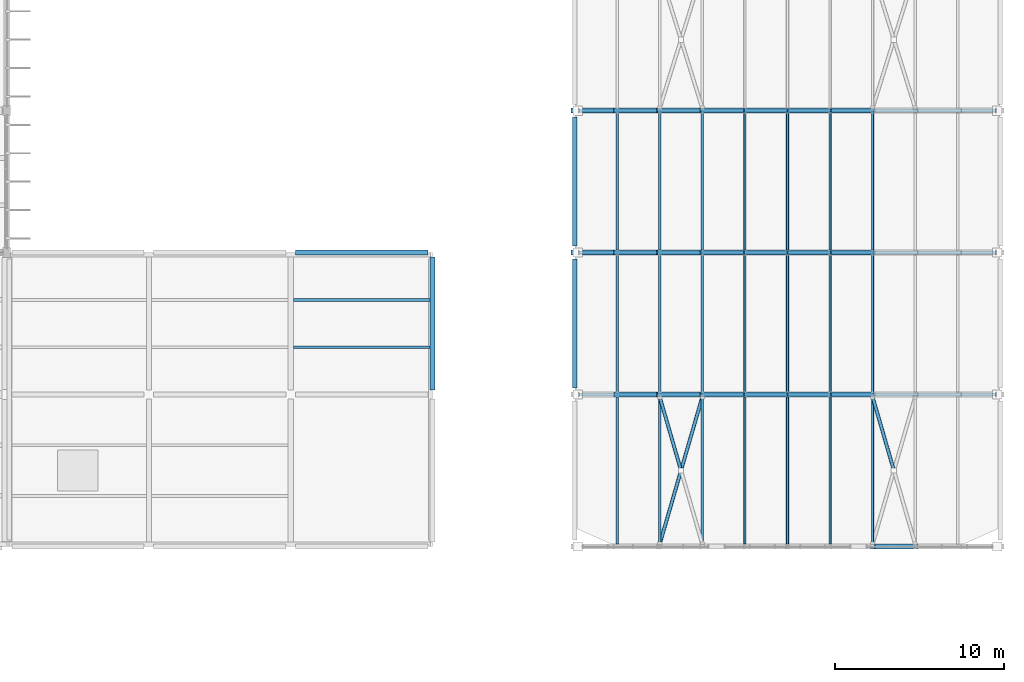
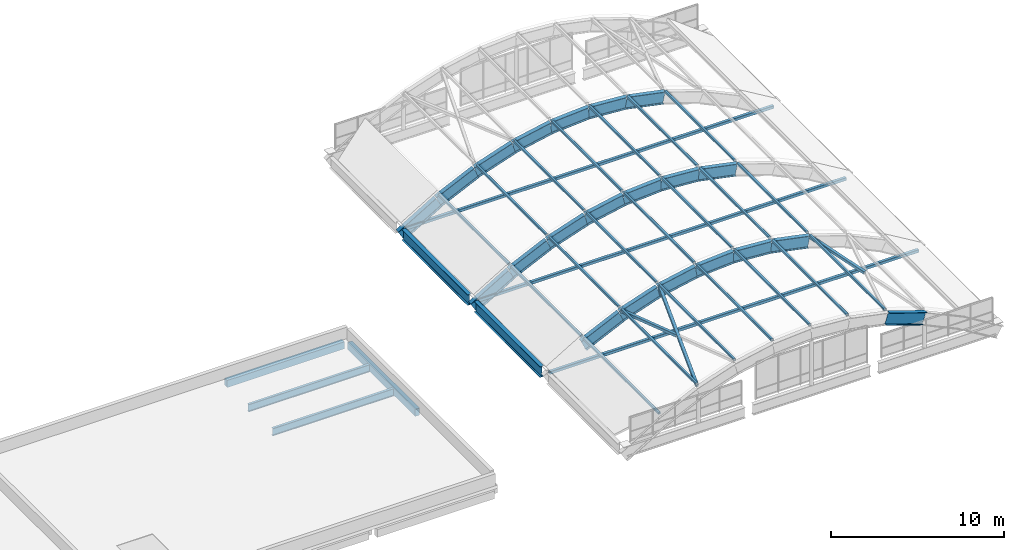
# One storey, part 66 of 107: 27 beams, 27 members.
"""IFC4 building model written with IfcOpenShell, lengths in metres."""

from ifc_helpers import new_model, si_unit, direction, frame, origin, origin_2d, place, context, subcontext, project, spatial, rectangle, hollow_rectangle, i_section, extrude, material, material_profile, profile_set, type_object, element, save


model = new_model("IFC4")

# Units and contexts
model_context = context("Model", 3, precision=1e-05, world=origin(), true_north=direction((0.0, 1.0)))
body_context = subcontext(model_context, "Body", "Model", "MODEL_VIEW")
ifc_project = project(units=[si_unit("LENGTHUNIT", "METRE"), si_unit("AREAUNIT", "SQUARE_METRE"), si_unit("VOLUMEUNIT", "CUBIC_METRE"), si_unit("PLANEANGLEUNIT", "RADIAN"), si_unit("MASSUNIT", "GRAM", prefix="KILO")], contexts=[model_context])

# Site, building, storey
site_placement = place(None, origin())
site = spatial("IfcSite", under=ifc_project, at=site_placement, CompositionType="ELEMENT")
building_placement = place(site_placement, origin())
building = spatial("IfcBuilding", under=site, at=building_placement, Name="Vireocrest Preparatory School", CompositionType="ELEMENT")
storey_placement = place(building_placement, frame((0.0, 0.0, 13.199951171875)))
storey = spatial("IfcBuildingStorey", under=building, at=storey_placement, Name="L03", CompositionType="ELEMENT", Elevation=13.199951171875)

# Beams
ifc_material_1 = material(Name="Structural steel ASTM A992 Grade 50", Category="steel")
ifc_material_profile_1 = material_profile(ifc_material_1, i_section(OverallWidth=0.2919921875, OverallDepth=0.841064453125, WebThickness=0.0146484375, FlangeThickness=0.021728515625, FilletRadius=0.02001953125, at=origin_2d()), Name="W33X130")
ifc_profile_set_1 = profile_set([ifc_material_profile_1], Name="Structural steel ASTM A992 Grade 50")
beam_type_1 = type_object("IfcBeamType", Name="Assembly Hall Barrel Vault Arch Rib W33X130", PredefinedType="BEAM", material=ifc_profile_set_1)
beam_1_placement = place(storey_placement, frame((160.43994140625, 18.0, 2.694580078125), z_axis=(0.947982995349, 0.0, -0.318320970924), x_axis=(0.0, 1.0, 0.0)))
element("IfcBeam", 1, at=beam_1_placement, inside=storey, type_object=beam_type_1, Name="Assembly Hall Barrel Vault Roof Arch Rib 1 Seg 8", PredefinedType="BEAM", context=body_context, shape_type="SweptSolid", body=[
    extrude(i_section(OverallWidth=0.2919921875, OverallDepth=0.841064453125, WebThickness=0.0146484375, FlangeThickness=0.021728515625, FilletRadius=0.02001953125, at=origin_2d()), origin(), (0.0, 0.0, 1.0), 2.658203125),
])
beam_2_placement = place(storey_placement, frame((145.320068359375, 27.0, 0.6474609375), z_axis=(0.905574801812, 0.0, 0.424186607902), x_axis=(0.0, 1.0, 0.0)))
element("IfcBeam", 2, at=beam_2_placement, inside=storey, type_object=beam_type_1, Name="Assembly Hall Barrel Vault Roof Arch Rib 2 Seg 2", PredefinedType="BEAM", context=body_context, shape_type="SweptSolid", body=[
    extrude(i_section(OverallWidth=0.2919921875, OverallDepth=0.841064453125, WebThickness=0.0146484375, FlangeThickness=0.021728515625, FilletRadius=0.02001953125, at=origin_2d()), origin(), (0.0, 0.0, 1.0), 2.78271484375),
])
beam_3_placement = place(storey_placement, frame((147.840087890625, 27.0, 1.848388671875), z_axis=(0.947982995349, 0.0, 0.318320970924), x_axis=(0.0, 1.0, 0.0)))
element("IfcBeam", 3, at=beam_3_placement, inside=storey, type_object=beam_type_1, Name="Assembly Hall Barrel Vault Roof Arch Rib 2 Seg 3", PredefinedType="BEAM", context=body_context, shape_type="SweptSolid", body=[
    extrude(i_section(OverallWidth=0.2919921875, OverallDepth=0.841064453125, WebThickness=0.0146484375, FlangeThickness=0.021728515625, FilletRadius=0.02001953125, at=origin_2d()), origin(), (0.0, 0.0, 1.0), 2.658203125),
])
beam_4_placement = place(storey_placement, frame((150.360107421875, 27.0, 2.708740234375), z_axis=(0.979995711856, 0.0, 0.199018604016), x_axis=(0.0, 1.0, 0.0)))
element("IfcBeam", 4, at=beam_4_placement, inside=storey, type_object=beam_type_1, Name="Assembly Hall Barrel Vault Roof Arch Rib 2 Seg 4", PredefinedType="BEAM", context=body_context, shape_type="SweptSolid", body=[
    extrude(i_section(OverallWidth=0.2919921875, OverallDepth=0.841064453125, WebThickness=0.0146484375, FlangeThickness=0.021728515625, FilletRadius=0.02001953125, at=origin_2d()), origin(), (0.0, 0.0, 1.0), 2.5712890625),
])
for number, where, z_axis, x_axis, name in (
    (5, (152.8798828125, 27.0, 3.227783203125), (0.997535619159, 0.0, 0.07016187362), (0.0, 1.0, 0.0), "Assembly Hall Barrel Vault Roof Arch Rib 2 Seg 5"),
    (6, (155.39990234375, 27.0, 3.405029296875), (0.997535619159, 0.0, -0.07016187362), (0.0, 1.0, 0.0), "Assembly Hall Barrel Vault Roof Arch Rib 2 Seg 6"),
):
    element("IfcBeam", number, at=place(storey_placement, frame(where, z_axis=z_axis, x_axis=x_axis)), inside=storey, type_object=beam_type_1, Name=name, PredefinedType="BEAM", context=body_context, shape_type="SweptSolid", body=[
        extrude(i_section(OverallWidth=0.2919921875, OverallDepth=0.841064453125, WebThickness=0.0146484375, FlangeThickness=0.021728515625, FilletRadius=0.02001953125, at=origin_2d()), origin(), (0.0, 0.0, 1.0), 2.5263671875),
    ])
beam_5_placement = place(storey_placement, frame((157.919921875, 27.0, 3.220458984375), z_axis=(0.979999472213, 0.0, -0.199000086588), x_axis=(0.0, 1.0, 0.0)))
element("IfcBeam", 7, at=beam_5_placement, inside=storey, type_object=beam_type_1, Name="Assembly Hall Barrel Vault Roof Arch Rib 2 Seg 7", PredefinedType="BEAM", context=body_context, shape_type="SweptSolid", body=[
    extrude(i_section(OverallWidth=0.2919921875, OverallDepth=0.841064453125, WebThickness=0.0146484375, FlangeThickness=0.021728515625, FilletRadius=0.02001953125, at=origin_2d()), origin(), (0.0, 0.0, 1.0), 2.571533203125),
])
beam_6_placement = place(storey_placement, frame((142.800048828125, 35.39990234375, -0.883544921875), z_axis=(0.858599207137, 0.0, 0.512647443672), x_axis=(0.0, 1.0, 0.0)))
element("IfcBeam", 8, at=beam_6_placement, inside=storey, type_object=beam_type_1, Name="Assembly Hall Barrel Vault Roof Arch Rib 3 Seg 1", PredefinedType="BEAM", context=body_context, shape_type="SweptSolid", body=[
    extrude(i_section(OverallWidth=0.2919921875, OverallDepth=0.841064453125, WebThickness=0.0146484375, FlangeThickness=0.021728515625, FilletRadius=0.02001953125, at=origin_2d()), origin(), (0.0, 0.0, 1.0), 2.93505859375),
])
beam_7_placement = place(storey_placement, frame((145.320068359375, 35.39990234375, 0.6474609375), z_axis=(0.905574801812, 0.0, 0.424186607902), x_axis=(0.0, 1.0, 0.0)))
element("IfcBeam", 9, at=beam_7_placement, inside=storey, type_object=beam_type_1, Name="Assembly Hall Barrel Vault Roof Arch Rib 3 Seg 2", PredefinedType="BEAM", context=body_context, shape_type="SweptSolid", body=[
    extrude(i_section(OverallWidth=0.2919921875, OverallDepth=0.841064453125, WebThickness=0.0146484375, FlangeThickness=0.021728515625, FilletRadius=0.02001953125, at=origin_2d()), origin(), (0.0, 0.0, 1.0), 2.78271484375),
])
beam_8_placement = place(storey_placement, frame((147.840087890625, 35.39990234375, 1.848388671875), z_axis=(0.947982995349, 0.0, 0.318320970924), x_axis=(0.0, 1.0, 0.0)))
element("IfcBeam", 10, at=beam_8_placement, inside=storey, type_object=beam_type_1, Name="Assembly Hall Barrel Vault Roof Arch Rib 3 Seg 3", PredefinedType="BEAM", context=body_context, shape_type="SweptSolid", body=[
    extrude(i_section(OverallWidth=0.2919921875, OverallDepth=0.841064453125, WebThickness=0.0146484375, FlangeThickness=0.021728515625, FilletRadius=0.02001953125, at=origin_2d()), origin(), (0.0, 0.0, 1.0), 2.658203125),
])
beam_9_placement = place(storey_placement, frame((150.360107421875, 35.39990234375, 2.708740234375), z_axis=(0.979995711856, 0.0, 0.199018604016), x_axis=(0.0, 1.0, 0.0)))
element("IfcBeam", 11, at=beam_9_placement, inside=storey, type_object=beam_type_1, Name="Assembly Hall Barrel Vault Roof Arch Rib 3 Seg 4", PredefinedType="BEAM", context=body_context, shape_type="SweptSolid", body=[
    extrude(i_section(OverallWidth=0.2919921875, OverallDepth=0.841064453125, WebThickness=0.0146484375, FlangeThickness=0.021728515625, FilletRadius=0.02001953125, at=origin_2d()), origin(), (0.0, 0.0, 1.0), 2.5712890625),
])
for number, where, z_axis, x_axis, name in (
    (12, (152.8798828125, 35.39990234375, 3.227783203125), (0.997535619159, 0.0, 0.07016187362), (0.0, 1.0, 0.0), "Assembly Hall Barrel Vault Roof Arch Rib 3 Seg 5"),
    (13, (155.39990234375, 35.39990234375, 3.405029296875), (0.997535619159, 0.0, -0.07016187362), (0.0, 1.0, 0.0), "Assembly Hall Barrel Vault Roof Arch Rib 3 Seg 6"),
):
    element("IfcBeam", number, at=place(storey_placement, frame(where, z_axis=z_axis, x_axis=x_axis)), inside=storey, type_object=beam_type_1, Name=name, PredefinedType="BEAM", context=body_context, shape_type="SweptSolid", body=[
        extrude(i_section(OverallWidth=0.2919921875, OverallDepth=0.841064453125, WebThickness=0.0146484375, FlangeThickness=0.021728515625, FilletRadius=0.02001953125, at=origin_2d()), origin(), (0.0, 0.0, 1.0), 2.5263671875),
    ])
beam_10_placement = place(storey_placement, frame((157.919921875, 35.39990234375, 3.220458984375), z_axis=(0.979999472213, 0.0, -0.199000086588), x_axis=(0.0, 1.0, 0.0)))
element("IfcBeam", 14, at=beam_10_placement, inside=storey, type_object=beam_type_1, Name="Assembly Hall Barrel Vault Roof Arch Rib 3 Seg 7", PredefinedType="BEAM", context=body_context, shape_type="SweptSolid", body=[
    extrude(i_section(OverallWidth=0.2919921875, OverallDepth=0.841064453125, WebThickness=0.0146484375, FlangeThickness=0.021728515625, FilletRadius=0.02001953125, at=origin_2d()), origin(), (0.0, 0.0, 1.0), 2.571533203125),
])
beam_11_placement = place(storey_placement, frame((142.800048828125, 43.800048828125, -0.883544921875), z_axis=(0.858599207137, 0.0, 0.512647443672), x_axis=(0.0, 1.0, 0.0)))
element("IfcBeam", 15, at=beam_11_placement, inside=storey, type_object=beam_type_1, Name="Assembly Hall Barrel Vault Roof Arch Rib 4 Seg 1", PredefinedType="BEAM", context=body_context, shape_type="SweptSolid", body=[
    extrude(i_section(OverallWidth=0.2919921875, OverallDepth=0.841064453125, WebThickness=0.0146484375, FlangeThickness=0.021728515625, FilletRadius=0.02001953125, at=origin_2d()), origin(), (0.0, 0.0, 1.0), 2.93505859375),
])
beam_12_placement = place(storey_placement, frame((145.320068359375, 43.800048828125, 0.6474609375), z_axis=(0.905574801812, 0.0, 0.424186607902), x_axis=(0.0, 1.0, 0.0)))
element("IfcBeam", 16, at=beam_12_placement, inside=storey, type_object=beam_type_1, Name="Assembly Hall Barrel Vault Roof Arch Rib 4 Seg 2", PredefinedType="BEAM", context=body_context, shape_type="SweptSolid", body=[
    extrude(i_section(OverallWidth=0.2919921875, OverallDepth=0.841064453125, WebThickness=0.0146484375, FlangeThickness=0.021728515625, FilletRadius=0.02001953125, at=origin_2d()), origin(), (0.0, 0.0, 1.0), 2.78271484375),
])
beam_13_placement = place(storey_placement, frame((147.840087890625, 43.800048828125, 1.848388671875), z_axis=(0.947982995349, 0.0, 0.318320970924), x_axis=(0.0, 1.0, 0.0)))
element("IfcBeam", 17, at=beam_13_placement, inside=storey, type_object=beam_type_1, Name="Assembly Hall Barrel Vault Roof Arch Rib 4 Seg 3", PredefinedType="BEAM", context=body_context, shape_type="SweptSolid", body=[
    extrude(i_section(OverallWidth=0.2919921875, OverallDepth=0.841064453125, WebThickness=0.0146484375, FlangeThickness=0.021728515625, FilletRadius=0.02001953125, at=origin_2d()), origin(), (0.0, 0.0, 1.0), 2.658203125),
])
beam_14_placement = place(storey_placement, frame((150.360107421875, 43.800048828125, 2.708740234375), z_axis=(0.979995711856, 0.0, 0.199018604016), x_axis=(0.0, 1.0, 0.0)))
element("IfcBeam", 18, at=beam_14_placement, inside=storey, type_object=beam_type_1, Name="Assembly Hall Barrel Vault Roof Arch Rib 4 Seg 4", PredefinedType="BEAM", context=body_context, shape_type="SweptSolid", body=[
    extrude(i_section(OverallWidth=0.2919921875, OverallDepth=0.841064453125, WebThickness=0.0146484375, FlangeThickness=0.021728515625, FilletRadius=0.02001953125, at=origin_2d()), origin(), (0.0, 0.0, 1.0), 2.5712890625),
])
for number, where, z_axis, x_axis, name in (
    (19, (152.8798828125, 43.800048828125, 3.227783203125), (0.997535619159, 0.0, 0.07016187362), (0.0, 1.0, 0.0), "Assembly Hall Barrel Vault Roof Arch Rib 4 Seg 5"),
    (20, (155.39990234375, 43.800048828125, 3.405029296875), (0.997535619159, 0.0, -0.07016187362), (0.0, 1.0, 0.0), "Assembly Hall Barrel Vault Roof Arch Rib 4 Seg 6"),
):
    element("IfcBeam", number, at=place(storey_placement, frame(where, z_axis=z_axis, x_axis=x_axis)), inside=storey, type_object=beam_type_1, Name=name, PredefinedType="BEAM", context=body_context, shape_type="SweptSolid", body=[
        extrude(i_section(OverallWidth=0.2919921875, OverallDepth=0.841064453125, WebThickness=0.0146484375, FlangeThickness=0.021728515625, FilletRadius=0.02001953125, at=origin_2d()), origin(), (0.0, 0.0, 1.0), 2.5263671875),
    ])
beam_15_placement = place(storey_placement, frame((157.919921875, 43.800048828125, 3.220458984375), z_axis=(0.979999472213, 0.0, -0.199000086588), x_axis=(0.0, 1.0, 0.0)))
element("IfcBeam", 21, at=beam_15_placement, inside=storey, type_object=beam_type_1, Name="Assembly Hall Barrel Vault Roof Arch Rib 4 Seg 7", PredefinedType="BEAM", context=body_context, shape_type="SweptSolid", body=[
    extrude(i_section(OverallWidth=0.2919921875, OverallDepth=0.841064453125, WebThickness=0.0146484375, FlangeThickness=0.021728515625, FilletRadius=0.02001953125, at=origin_2d()), origin(), (0.0, 0.0, 1.0), 2.571533203125),
])
ifc_material_profile_2 = material_profile(ifc_material_1, i_section(OverallWidth=0.264892578125, OverallDepth=0.7529296875, WebThickness=0.01318359375, FlangeThickness=0.01708984375, FilletRadius=0.01904296875, at=origin_2d()), Name="W30X99")
ifc_profile_set_2 = profile_set([ifc_material_profile_2], Name="Structural steel ASTM A992 Grade 50")
beam_type_2 = type_object("IfcBeamType", Name="Assembly Hall Vault Ring Beam W30X99", PredefinedType="BEAM", material=ifc_profile_set_2)
beam_16_placement = place(storey_placement, frame((142.800048828125, 27.375, -0.596435546875), z_axis=(0.0, 1.0, 0.0), x_axis=(-1.0, 0.0, 0.0)))
element("IfcBeam", 22, at=beam_16_placement, inside=storey, type_object=beam_type_2, Name="Assembly Hall Barrel Vault Roof Ring Beam W 27.0-35.4", PredefinedType="BEAM", context=body_context, shape_type="SweptSolid", body=[
    extrude(i_section(OverallWidth=0.264892578125, OverallDepth=0.7529296875, WebThickness=0.01318359375, FlangeThickness=0.01708984375, FilletRadius=0.01904296875, at=origin_2d()), origin(), (0.0, 0.0, 1.0), 7.64990234375),
])
beam_17_placement = place(storey_placement, frame((142.800048828125, 35.77490234375, -0.596435546875), z_axis=(0.0, 1.0, 0.0), x_axis=(-1.0, 0.0, 0.0)))
element("IfcBeam", 23, at=beam_17_placement, inside=storey, type_object=beam_type_2, Name="Assembly Hall Barrel Vault Roof Ring Beam W 35.4-43.8", PredefinedType="BEAM", context=body_context, shape_type="SweptSolid", body=[
    extrude(i_section(OverallWidth=0.264892578125, OverallDepth=0.7529296875, WebThickness=0.01318359375, FlangeThickness=0.01708984375, FilletRadius=0.01904296875, at=origin_2d()), origin(), (0.0, 0.0, 1.0), 7.650146484375),
])

# Members
ifc_material_2 = material(Name="Structural steel ASTM A500 Grade C", Category="steel")
ifc_material_profile_3 = material_profile(ifc_material_2, hollow_rectangle(XDim=0.203125, YDim=0.203125, WallThickness=0.01171875, InnerFilletRadius=0.01171875, OuterFilletRadius=0.023681640625, at=origin_2d()), Name="HSS8X8X1/2")
ifc_profile_set_3 = profile_set([ifc_material_profile_3], Name="Structural steel ASTM A500 Grade C")
member_type_1 = type_object("IfcMemberType", Name="Assembly Hall Vault Springing Tie Rod HSS8X8X1/2", PredefinedType="CHORD", material=ifc_profile_set_3)
for number, where, z_axis, x_axis, name in (
    (24, (143.050048828125, 27.0, -0.51416015625), (1.0, 0.0, 0.0), (0.0, 1.0, 0.0), "Assembly Hall Barrel Vault Roof Vault Springing Tie Rod VT2-2"),
    (25, (143.050048828125, 35.39990234375, -0.51416015625), (1.0, 0.0, 0.0), (0.0, 1.0, 0.0), "Assembly Hall Barrel Vault Roof Vault Springing Tie Rod VT2-3"),
    (26, (143.050048828125, 43.800048828125, -0.51416015625), (1.0, 0.0, 0.0), (0.0, 1.0, 0.0), "Assembly Hall Barrel Vault Roof Vault Springing Tie Rod VT2-4"),
):
    element("IfcMember", number, at=place(storey_placement, frame(where, z_axis=z_axis, x_axis=x_axis)), inside=storey, type_object=member_type_1, Name=name, PredefinedType="CHORD", context=body_context, shape_type="SweptSolid", body=[
        extrude(hollow_rectangle(XDim=0.203125, YDim=0.203125, WallThickness=0.01171875, InnerFilletRadius=0.01171875, OuterFilletRadius=0.023681640625, at=origin_2d()), origin(), (0.0, 0.0, 1.0), 24.699951171875),
    ])
ifc_material_profile_4 = material_profile(ifc_material_2, hollow_rectangle(XDim=0.15234375, YDim=0.15234375, WallThickness=0.0087890625, InnerFilletRadius=0.0087890625, OuterFilletRadius=0.017822265625, at=origin_2d()), Name="HSS6X6X3/8")
ifc_profile_set_4 = profile_set([ifc_material_profile_4], Name="Structural steel ASTM A500 Grade C")
member_type_2 = type_object("IfcMemberType", Name="Barrel Vault Steel Purlin HSS6X6X3/8", PredefinedType="PURLIN", material=ifc_profile_set_4)
for number, where, z_axis, x_axis, name in (
    (27, (145.320068359375, 18.14111328125, 1.175048828125), (0.0, 1.0, 0.0), (-1.0, 0.0, 0.0), "Assembly Hall Barrel Vault Roof Purlin 1-2"),
    (28, (147.840087890625, 18.14111328125, 2.355712890625), (0.0, 1.0, 0.0), (-1.0, 0.0, 0.0), "Assembly Hall Barrel Vault Roof Purlin 1-3"),
    (29, (150.360107421875, 18.14111328125, 3.20166015625), (0.0, 1.0, 0.0), (-1.0, 0.0, 0.0), "Assembly Hall Barrel Vault Roof Purlin 1-4"),
    (30, (152.8798828125, 18.14111328125, 3.71337890625), (0.0, 1.0, 0.0), (-1.0, 0.0, 0.0), "Assembly Hall Barrel Vault Roof Purlin 1-5"),
    (31, (155.39990234375, 18.14111328125, 3.890869140625), (0.0, 1.0, 0.0), (-1.0, 0.0, 0.0), "Assembly Hall Barrel Vault Roof Purlin 1-6"),
    (32, (157.919921875, 18.14111328125, 3.71337890625), (0.0, 1.0, 0.0), (-1.0, 0.0, 0.0), "Assembly Hall Barrel Vault Roof Purlin 1-7"),
    (33, (160.43994140625, 18.14111328125, 3.20166015625), (0.0, 1.0, 0.0), (-1.0, 0.0, 0.0), "Assembly Hall Barrel Vault Roof Purlin 1-8"),
):
    element("IfcMember", number, at=place(storey_placement, frame(where, z_axis=z_axis, x_axis=x_axis)), inside=storey, type_object=member_type_2, Name=name, PredefinedType="PURLIN", context=body_context, shape_type="SweptSolid", body=[
        extrude(hollow_rectangle(XDim=0.15234375, YDim=0.15234375, WallThickness=0.0087890625, InnerFilletRadius=0.0087890625, OuterFilletRadius=0.017822265625, at=origin_2d()), origin(), (0.0, 0.0, 1.0), 8.7177734375),
    ])
for number, where, z_axis, x_axis, name in (
    (34, (145.320068359375, 27.14111328125, 1.175048828125), (0.0, 1.0, 0.0), (-1.0, 0.0, 0.0), "Assembly Hall Barrel Vault Roof Purlin 2-2"),
    (35, (147.840087890625, 27.14111328125, 2.355712890625), (0.0, 1.0, 0.0), (-1.0, 0.0, 0.0), "Assembly Hall Barrel Vault Roof Purlin 2-3"),
    (36, (150.360107421875, 27.14111328125, 3.20166015625), (0.0, 1.0, 0.0), (-1.0, 0.0, 0.0), "Assembly Hall Barrel Vault Roof Purlin 2-4"),
    (37, (152.8798828125, 27.14111328125, 3.71337890625), (0.0, 1.0, 0.0), (-1.0, 0.0, 0.0), "Assembly Hall Barrel Vault Roof Purlin 2-5"),
    (38, (155.39990234375, 27.14111328125, 3.890869140625), (0.0, 1.0, 0.0), (-1.0, 0.0, 0.0), "Assembly Hall Barrel Vault Roof Purlin 2-6"),
    (39, (157.919921875, 27.14111328125, 3.71337890625), (0.0, 1.0, 0.0), (-1.0, 0.0, 0.0), "Assembly Hall Barrel Vault Roof Purlin 2-7"),
    (40, (160.43994140625, 27.14111328125, 3.20166015625), (0.0, 1.0, 0.0), (-1.0, 0.0, 0.0), "Assembly Hall Barrel Vault Roof Purlin 2-8"),
    (41, (145.320068359375, 35.541015625, 1.175048828125), (0.0, 1.0, 0.0), (-1.0, 0.0, 0.0), "Assembly Hall Barrel Vault Roof Purlin 3-2"),
    (42, (147.840087890625, 35.541015625, 2.355712890625), (0.0, 1.0, 0.0), (-1.0, 0.0, 0.0), "Assembly Hall Barrel Vault Roof Purlin 3-3"),
    (43, (150.360107421875, 35.541015625, 3.20166015625), (0.0, 1.0, 0.0), (-1.0, 0.0, 0.0), "Assembly Hall Barrel Vault Roof Purlin 3-4"),
    (44, (152.8798828125, 35.541015625, 3.71337890625), (0.0, 1.0, 0.0), (-1.0, 0.0, 0.0), "Assembly Hall Barrel Vault Roof Purlin 3-5"),
    (45, (155.39990234375, 35.541015625, 3.890869140625), (0.0, 1.0, 0.0), (-1.0, 0.0, 0.0), "Assembly Hall Barrel Vault Roof Purlin 3-6"),
    (46, (157.919921875, 35.541015625, 3.71337890625), (0.0, 1.0, 0.0), (-1.0, 0.0, 0.0), "Assembly Hall Barrel Vault Roof Purlin 3-7"),
    (47, (160.43994140625, 35.541015625, 3.20166015625), (0.0, 1.0, 0.0), (-1.0, 0.0, 0.0), "Assembly Hall Barrel Vault Roof Purlin 3-8"),
):
    element("IfcMember", number, at=place(storey_placement, frame(where, z_axis=z_axis, x_axis=x_axis)), inside=storey, type_object=member_type_2, Name=name, PredefinedType="PURLIN", context=body_context, shape_type="SweptSolid", body=[
        extrude(hollow_rectangle(XDim=0.15234375, YDim=0.15234375, WallThickness=0.0087890625, InnerFilletRadius=0.0087890625, OuterFilletRadius=0.017822265625, at=origin_2d()), origin(), (0.0, 0.0, 1.0), 8.117919921875),
    ])

# Beams
ifc_material_profile_5 = material_profile(ifc_material_1, i_section(OverallWidth=0.166015625, OverallDepth=0.529052734375, WebThickness=0.009765625, FlangeThickness=0.013671875, FilletRadius=0.014892578125, at=origin_2d()), Name="W21X50")
ifc_profile_set_5 = profile_set([ifc_material_profile_5], Name="Structural steel ASTM A992 Grade 50")
beam_type_3 = type_object("IfcBeamType", Name="Pavilion Roof Joist W21X50", PredefinedType="JOIST", material=ifc_profile_set_5)
for number, where, z_axis, x_axis, name in (
    (48, (126.14990234375, 29.800048828125, -0.484375), (1.0, 0.0, 0.0), (0.0, 1.0, 0.0), "Secondary Joist SJ1 L03-1289"),
    (49, (126.14990234375, 32.60009765625, -0.484375), (1.0, 0.0, 0.0), (0.0, 1.0, 0.0), "Secondary Joist SJ1 L03-1290"),
):
    element("IfcBeam", number, at=place(storey_placement, frame(where, z_axis=z_axis, x_axis=x_axis)), inside=storey, type_object=beam_type_3, Name=name, PredefinedType="JOIST", context=body_context, shape_type="SweptSolid", body=[
        extrude(i_section(OverallWidth=0.166015625, OverallDepth=0.529052734375, WebThickness=0.009765625, FlangeThickness=0.013671875, FilletRadius=0.014892578125, at=origin_2d()), origin(), (0.0, 0.0, 1.0), 8.10009765625),
    ])
ifc_material_3 = material(Name="Concrete 40 MPa", Category="concrete")
ifc_material_profile_6 = material_profile(ifc_material_3, rectangle(XDim=0.300048828125, YDim=0.5, at=origin_2d()), Name="RC 300x500")
ifc_profile_set_6 = profile_set([ifc_material_profile_6], Name="Concrete 40 MPa")
beam_type_4 = type_object("IfcBeamType", Name="RC Roof Edge Beam 300x500", PredefinedType="BEAM", material=ifc_profile_set_6)
for number, where, z_axis, x_axis, name in (
    (50, (126.27490234375, 35.39990234375, -0.469970703125), (1.0, 0.0, 0.0), (0.0, 1.0, 0.0), "Primary Girder B01 L03-1049"),
    (51, (134.39990234375, 27.27490234375, -0.469970703125), (0.0, 1.0, 0.0), (-1.0, 0.0, 0.0), "Primary Girder B01 L03-1182"),
):
    element("IfcBeam", number, at=place(storey_placement, frame(where, z_axis=z_axis, x_axis=x_axis)), inside=storey, type_object=beam_type_4, Name=name, PredefinedType="BEAM", context=body_context, shape_type="SweptSolid", body=[
        extrude(rectangle(XDim=0.300048828125, YDim=0.5, at=origin_2d()), origin(), (0.0, 0.0, 1.0), 7.85009765625),
    ])

# Members
ifc_material_profile_7 = material_profile(ifc_material_2, hollow_rectangle(XDim=0.203125, YDim=0.203125, WallThickness=0.0087890625, InnerFilletRadius=0.0087890625, OuterFilletRadius=0.017822265625, at=origin_2d()), Name="HSS8X8X3/8")
ifc_profile_set_7 = profile_set([ifc_material_profile_7], Name="Structural steel ASTM A500 Grade C")
member_type_3 = type_object("IfcMemberType", Name="Vault Roof Wind X-Brace HSS8X8X3/8", PredefinedType="BRACE", material=ifc_profile_set_7)
member_1_placement = place(storey_placement, frame((147.840087890625, 18.14599609375, 2.260986328125), z_axis=(0.276809759635, 0.956524947363, 0.091849779767), x_axis=(-0.960585462489, 0.277984836375, 0.0)))
element("IfcMember", 52, at=member_1_placement, inside=storey, type_object=member_type_3, Name="Assembly Hall Barrel Vault Roof Roof Wind Brace 1-3", PredefinedType="BRACE", context=body_context, shape_type="SweptSolid", body=[
    extrude(hollow_rectangle(XDim=0.203125, YDim=0.203125, WallThickness=0.0087890625, InnerFilletRadius=0.0087890625, OuterFilletRadius=0.017822265625, at=origin_2d()), origin(), (0.0, 0.0, 1.0), 9.103759765625),
])
member_2_placement = place(storey_placement, frame((147.840087890625, 26.85400390625, 2.260986328125), z_axis=(0.276773546762, -0.956533352811, 0.091871370798), x_axis=(0.960595825043, 0.27794902574, 0.0)))
element("IfcMember", 53, at=member_2_placement, inside=storey, type_object=member_type_3, Name="Assembly Hall Barrel Vault Roof Split Roof X-Brace 1-3-1", PredefinedType="BRACE", context=body_context, shape_type="SweptSolid", body=[
    extrude(hollow_rectangle(XDim=0.203125, YDim=0.203125, WallThickness=0.0087890625, InnerFilletRadius=0.0087890625, OuterFilletRadius=0.017822265625, at=origin_2d()), origin(), (0.0, 0.0, 1.0), 4.421875),
])
member_3_placement = place(storey_placement, frame((160.43994140625, 26.85400390625, 3.09716796875), z_axis=(0.27682452738, -0.956518734913, -0.091869966805), x_axis=(0.960581020106, 0.278000186713, 0.0)))
element("IfcMember", 54, at=member_3_placement, inside=storey, type_object=member_type_3, Name="Assembly Hall Barrel Vault Roof Split Roof X-Brace 1-8-1", PredefinedType="BRACE", context=body_context, shape_type="SweptSolid", body=[
    extrude(hollow_rectangle(XDim=0.203125, YDim=0.203125, WallThickness=0.0087890625, InnerFilletRadius=0.0087890625, OuterFilletRadius=0.017822265625, at=origin_2d()), origin(), (0.0, 0.0, 1.0), 4.422119140625),
])

save(model, "model.ifc")
